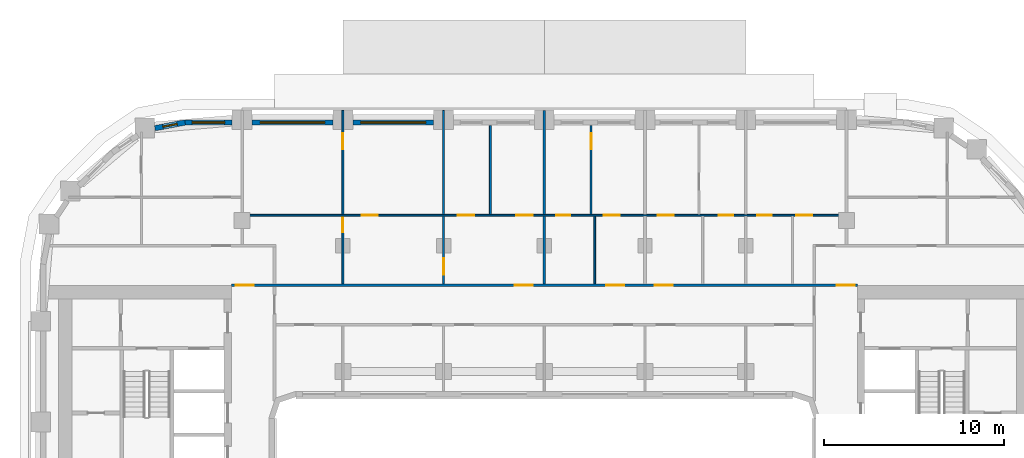
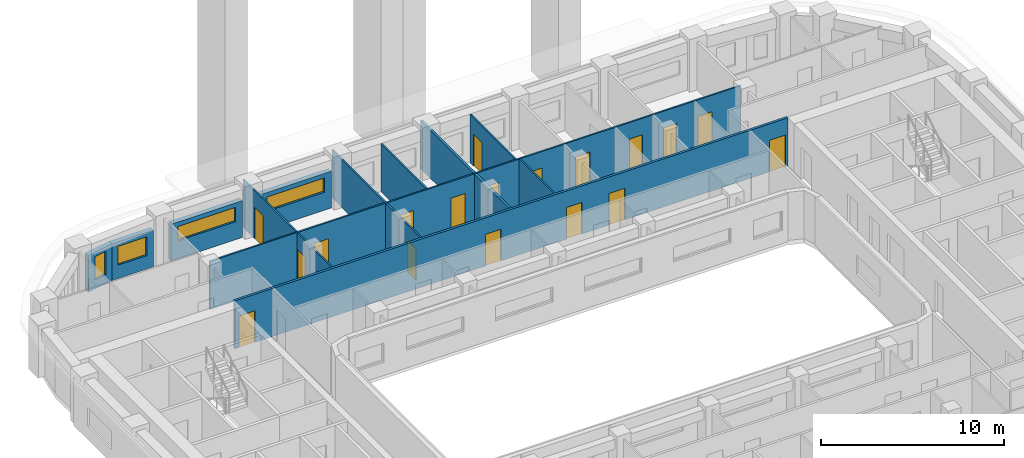
# One storey, part 8 of 18: 18 doors, 15 walls, 4 windows, 22 openings.
"""IFC4 building model written with IfcOpenShell, lengths in metres."""

from ifc_helpers import new_model, si_unit, direction, frame, frame_2d, origin, place, context, subcontext, project, spatial, rectangle, extrude, material, layer, layer_set, type_object, element, fill, save


model = new_model("IFC4")

# Units and contexts
model_context = context("Model", 3, precision=1e-05, world=origin(), true_north=direction((0.0, 1.0)))
body_context = subcontext(model_context, "Body", "Model", "MODEL_VIEW")
ifc_project = project(units=[si_unit("LENGTHUNIT", "METRE"), si_unit("AREAUNIT", "SQUARE_METRE"), si_unit("VOLUMEUNIT", "CUBIC_METRE"), si_unit("PLANEANGLEUNIT", "RADIAN"), si_unit("MASSUNIT", "GRAM", prefix="KILO")], contexts=[model_context])

# Site, building, storey
site_placement = place(None, origin())
site = spatial("IfcSite", under=ifc_project, at=site_placement, CompositionType="ELEMENT")
building_placement = place(site_placement, origin())
building = spatial("IfcBuilding", under=site, at=building_placement, Name="Kiln Ring Residences", CompositionType="ELEMENT")
storey_placement = place(building_placement, frame((0.0, 0.0, 157.10009765625)))
storey = spatial("IfcBuildingStorey", under=building, at=storey_placement, Name="L40", CompositionType="ELEMENT", Elevation=157.10009765625)

# Wall, opening, window
ifc_material_1 = material(Name="Brick masonry, dark clay brick", Category="masonry")
ifc_layer_1 = layer(ifc_material_1, 0.300048828125)
ifc_layer_set_1 = layer_set([ifc_layer_1], Name="EW-300 BRICK WALL")
wall_type_1 = type_object("IfcWallType", Name="EW-300 BRICK WALL", PredefinedType="SOLIDWALL", material=ifc_layer_set_1)
wall_1_placement = place(storey_placement, frame((-6.14990234375, 22.25, 0.0), z_axis=(0.0, 0.0, 1.0), x_axis=(-1.0, 0.0, 0.0)))
wall_1 = element("IfcWall", 1, at=wall_1_placement, inside=storey, type_object=wall_type_1, Name="Facade wall L40 33", PredefinedType="SOLIDWALL", context=body_context, shape_type="SweptSolid", body=[
    extrude(rectangle(XDim=4.5, YDim=0.300048828125, at=frame_2d((2.25, 0.0))), origin(), (0.0, 0.0, 1.0), 2.449951171875),
])
opening_1_placement = place(wall_1_placement, frame((0.449951171875, 0.0, 1.199951171875)))
opening_1 = element("IfcOpeningElement", 2, at=opening_1_placement, cuts=wall_1, Name="Opening W4", PredefinedType="OPENING", context=body_context, shape_type="SweptSolid", body=[
    extrude(rectangle(XDim=3.60009765625, YDim=0.949951171875, at=frame_2d((1.800048828125, 0.47509765625))), frame((0.0, 0.159912109375, 0.0), z_axis=(0.0, -1.0, 0.0), x_axis=(1.0, 0.0, 0.0)), (0.0, 0.0, 1.0), 0.320068359375),
])
ifc_material_2 = material(Name="Aluminium frame with double glazing", Category="aluminium")
window_type_1 = type_object("IfcWindowType", Name="WINDOW 3600 x 950", PartitioningType="SINGLE_PANEL", PredefinedType="WINDOW", material=ifc_material_2)
window_1_placement = place(opening_1_placement, origin())
window_1 = element("IfcWindow", 3, at=window_1_placement, inside=storey, type_object=window_type_1, Name="Window L40 26", OverallHeight=0.949951171875, OverallWidth=3.60009765625, PartitioningType="SINGLE_PANEL", PredefinedType="WINDOW", context=body_context, shape_type="SweptSolid", body=[
    extrude(rectangle(XDim=3.60009765625, YDim=0.949951171875, at=frame_2d((1.800048828125, 0.47509765625))), frame((0.0, 0.030029296875, 0.0), z_axis=(0.0, -1.0, 0.0), x_axis=(1.0, 0.0, 0.0)), (0.0, 0.0, 1.0), 0.06005859375),
])
fill(opening_1, window_1)

wall_2_placement = place(storey_placement, frame((-11.75, 22.25, 0.0), z_axis=(0.0, 0.0, 1.0), x_axis=(-1.0, 0.0, 0.0)))
wall_2 = element("IfcWall", 4, at=wall_2_placement, inside=storey, type_object=wall_type_1, Name="Facade wall L40 34", PredefinedType="SOLIDWALL", context=body_context, shape_type="SweptSolid", body=[
    extrude(rectangle(XDim=4.5, YDim=0.300048828125, at=frame_2d((2.25, 0.0))), origin(), (0.0, 0.0, 1.0), 2.449951171875),
])
opening_2_placement = place(wall_2_placement, frame((0.449951171875, 0.0, 1.199951171875)))
opening_2 = element("IfcOpeningElement", 5, at=opening_2_placement, cuts=wall_2, Name="Opening W4", PredefinedType="OPENING", context=body_context, shape_type="SweptSolid", body=[
    extrude(rectangle(XDim=3.60009765625, YDim=0.949951171875, at=frame_2d((1.800048828125, 0.47509765625))), frame((0.0, 0.159912109375, 0.0), z_axis=(0.0, -1.0, 0.0), x_axis=(1.0, 0.0, 0.0)), (0.0, 0.0, 1.0), 0.320068359375),
])
window_2_placement = place(opening_2_placement, origin())
window_2 = element("IfcWindow", 6, at=window_2_placement, inside=storey, type_object=window_type_1, Name="Window L40 27", OverallHeight=0.949951171875, OverallWidth=3.60009765625, PartitioningType="SINGLE_PANEL", PredefinedType="WINDOW", context=body_context, shape_type="SweptSolid", body=[
    extrude(rectangle(XDim=3.60009765625, YDim=0.949951171875, at=frame_2d((1.800048828125, 0.47509765625))), frame((0.0, 0.030029296875, 0.0), z_axis=(0.0, -1.0, 0.0), x_axis=(1.0, 0.0, 0.0)), (0.0, 0.0, 1.0), 0.06005859375),
])
fill(opening_2, window_2)

wall_3_placement = place(storey_placement, frame((-17.35009765625, 22.25, 0.0), z_axis=(0.0, 0.0, 1.0), x_axis=(-1.0, 0.0, 0.0)))
wall_3 = element("IfcWall", 7, at=wall_3_placement, inside=storey, type_object=wall_type_1, Name="Facade wall L40 35", PredefinedType="SOLIDWALL", context=body_context, shape_type="SweptSolid", body=[
    extrude(rectangle(XDim=2.64990234375, YDim=0.300048828125, at=frame_2d((1.324951171875, 0.0))), origin(), (0.0, 0.0, 1.0), 2.449951171875),
])
opening_3_placement = place(wall_3_placement, frame((0.425048828125, 0.0, 0.89990234375)))
opening_3 = element("IfcOpeningElement", 8, at=opening_3_placement, cuts=wall_3, Name="Opening W2", PredefinedType="OPENING", context=body_context, shape_type="SweptSolid", body=[
    extrude(rectangle(XDim=1.800048828125, YDim=1.25, at=frame_2d((0.89990234375, 0.625))), frame((0.0, 0.159912109375, 0.0), z_axis=(0.0, -1.0, 0.0), x_axis=(1.0, 0.0, 0.0)), (0.0, 0.0, 1.0), 0.320068359375),
])
ifc_material_3 = material(Name="Aluminium frame with double glazing", Category="aluminium")
window_type_2 = type_object("IfcWindowType", Name="WINDOW 1800 x 1250", PartitioningType="SINGLE_PANEL", PredefinedType="WINDOW", material=ifc_material_3)
window_3_placement = place(opening_3_placement, origin())
window_3 = element("IfcWindow", 9, at=window_3_placement, inside=storey, type_object=window_type_2, Name="Window L40 28", OverallHeight=1.25, OverallWidth=1.800048828125, PartitioningType="SINGLE_PANEL", PredefinedType="WINDOW", context=body_context, shape_type="SweptSolid", body=[
    extrude(rectangle(XDim=1.800048828125, YDim=1.25, at=frame_2d((0.89990234375, 0.625))), frame((0.0, 0.030029296875, 0.0), z_axis=(0.0, -1.0, 0.0), x_axis=(1.0, 0.0, 0.0)), (0.0, 0.0, 1.0), 0.06005859375),
])
fill(opening_3, window_3)

wall_4_placement = place(storey_placement, frame((-19.971923828125, 22.252685546875, 0.0), z_axis=(0.0, 0.0, 1.0), x_axis=(-0.982297206936, -0.187329114784, 0.0)))
wall_4 = element("IfcWall", 10, at=wall_4_placement, inside=storey, type_object=wall_type_1, Name="Facade wall L40 36", PredefinedType="SOLIDWALL", context=body_context, shape_type="SweptSolid", body=[
    extrude(rectangle(XDim=1.7060546875, YDim=0.300048828125, at=frame_2d((0.85302734375, 0.0))), origin(), (0.0, 0.0, 1.0), 2.449951171875),
])
opening_4_placement = place(wall_4_placement, frame((0.453125, 0.0, 0.60009765625)))
opening_4 = element("IfcOpeningElement", 11, at=opening_4_placement, cuts=wall_4, Name="Opening W5", PredefinedType="OPENING", context=body_context, shape_type="SweptSolid", body=[
    extrude(rectangle(XDim=0.800048828125, YDim=1.550048828125, at=frame_2d((0.39990234375, 0.77490234375))), frame((0.0, 0.159912109375, 0.0), z_axis=(0.0, -1.0, 0.0), x_axis=(1.0, 0.0, 0.0)), (0.0, 0.0, 1.0), 0.320068359375),
])
ifc_material_4 = material(Name="Aluminium frame with double glazing", Category="aluminium")
window_type_3 = type_object("IfcWindowType", Name="WINDOW 800 x 1550", PartitioningType="SINGLE_PANEL", PredefinedType="WINDOW", material=ifc_material_4)
window_4_placement = place(opening_4_placement, origin())
window_4 = element("IfcWindow", 12, at=window_4_placement, inside=storey, type_object=window_type_3, Name="Window L40 29", OverallHeight=1.550048828125, OverallWidth=0.800048828125, PartitioningType="SINGLE_PANEL", PredefinedType="WINDOW", context=body_context, shape_type="SweptSolid", body=[
    extrude(rectangle(XDim=0.800048828125, YDim=1.550048828125, at=frame_2d((0.39990234375, 0.77490234375))), frame((0.0, 0.030029296875, 0.0), z_axis=(0.0, -1.0, 0.0), x_axis=(1.0, 0.0, 0.0)), (0.0, 0.0, 1.0), 0.06005859375),
])
fill(opening_4, window_4)

# Wall, openings, doors
ifc_material_5 = material(Name="Gypsum board on steel studs", Category="steel")
ifc_layer_2 = layer(ifc_material_5, 0.10009765625)
ifc_layer_set_2 = layer_set([ifc_layer_2], Name="PARTITION-100")
wall_type_2 = type_object("IfcWallType", Name="PARTITION-100", PredefinedType="PARTITIONING", material=ifc_layer_set_2)
wall_5_placement = place(storey_placement, frame((-16.72509765625, 17.10009765625, 0.0), z_axis=(0.0, 0.0, 1.0), x_axis=(1.0, 0.0, 0.0)))
wall_5 = element("IfcWall", 13, at=wall_5_placement, inside=storey, type_object=wall_type_2, Name="Partition 011", PredefinedType="PARTITIONING", context=body_context, shape_type="SweptSolid", body=[
    extrude(rectangle(XDim=33.4501953125, YDim=0.10009765625, at=frame_2d((16.72509765625, 0.0))), origin(), (0.0, 0.0, 1.0), 3.199951171875),
])
opening_5_placement = place(wall_5_placement, frame((11.925048828125, 0.0, 0.0)))
opening_5 = element("IfcOpeningElement", 14, at=opening_5_placement, cuts=wall_5, Name="Opening L40-D018", PredefinedType="OPENING", context=body_context, shape_type="SweptSolid", body=[
    extrude(rectangle(XDim=0.89990234375, YDim=2.10009765625, at=frame_2d((0.449951171875, 1.050048828125))), frame((0.0, 0.06005859375, 0.0), z_axis=(0.0, -1.0, 0.0), x_axis=(1.0, 0.0, 0.0)), (0.0, 0.0, 1.0), 0.1201171875),
])
opening_6_placement = place(wall_5_placement, frame((15.175048828125, 0.0, 0.0)))
opening_6 = element("IfcOpeningElement", 15, at=opening_6_placement, cuts=wall_5, Name="Opening L40-D019", PredefinedType="OPENING", context=body_context, shape_type="SweptSolid", body=[
    extrude(rectangle(XDim=0.89990234375, YDim=2.10009765625, at=frame_2d((0.449951171875, 1.050048828125))), frame((0.0, 0.06005859375, 0.0), z_axis=(0.0, -1.0, 0.0), x_axis=(1.0, 0.0, 0.0)), (0.0, 0.0, 1.0), 0.1201171875),
])
opening_7_placement = place(wall_5_placement, frame((6.574951171875, 0.0, 0.0)))
opening_7 = element("IfcOpeningElement", 16, at=opening_7_placement, cuts=wall_5, Name="Opening L40-D020", PredefinedType="OPENING", context=body_context, shape_type="SweptSolid", body=[
    extrude(rectangle(XDim=0.89990234375, YDim=2.10009765625, at=frame_2d((0.449951171875, 1.050048828125))), frame((0.0, 0.06005859375, 0.0), z_axis=(0.0, -1.0, 0.0), x_axis=(1.0, 0.0, 0.0)), (0.0, 0.0, 1.0), 0.1201171875),
])
opening_8_placement = place(wall_5_placement, frame((17.375, 0.0, 0.0)))
opening_8 = element("IfcOpeningElement", 17, at=opening_8_placement, cuts=wall_5, Name="Opening L40-D023", PredefinedType="OPENING", context=body_context, shape_type="SweptSolid", body=[
    extrude(rectangle(XDim=0.800048828125, YDim=2.10009765625, at=frame_2d((0.39990234375, 1.050048828125))), frame((0.0, 0.06005859375, 0.0), z_axis=(0.0, -1.0, 0.0), x_axis=(1.0, 0.0, 0.0)), (0.0, 0.0, 1.0), 0.1201171875),
])
opening_9_placement = place(wall_5_placement, frame((20.02490234375, 0.0, 0.0)))
opening_9 = element("IfcOpeningElement", 18, at=opening_9_placement, cuts=wall_5, Name="Opening L40-D024", PredefinedType="OPENING", context=body_context, shape_type="SweptSolid", body=[
    extrude(rectangle(XDim=0.89990234375, YDim=2.10009765625, at=frame_2d((0.449951171875, 1.050048828125))), frame((0.0, 0.06005859375, 0.0), z_axis=(0.0, -1.0, 0.0), x_axis=(1.0, 0.0, 0.0)), (0.0, 0.0, 1.0), 0.1201171875),
])
opening_10_placement = place(wall_5_placement, frame((26.425048828125, 0.0, 0.0)))
opening_10 = element("IfcOpeningElement", 19, at=opening_10_placement, cuts=wall_5, Name="Opening L40-D027", PredefinedType="OPENING", context=body_context, shape_type="SweptSolid", body=[
    extrude(rectangle(XDim=0.800048828125, YDim=2.10009765625, at=frame_2d((0.39990234375, 1.050048828125))), frame((0.0, 0.06005859375, 0.0), z_axis=(0.0, -1.0, 0.0), x_axis=(1.0, 0.0, 0.0)), (0.0, 0.0, 1.0), 0.1201171875),
])
opening_11_placement = place(wall_5_placement, frame((23.02490234375, 0.0, 0.0)))
opening_11 = element("IfcOpeningElement", 20, at=opening_11_placement, cuts=wall_5, Name="Opening L40-D028", PredefinedType="OPENING", context=body_context, shape_type="SweptSolid", body=[
    extrude(rectangle(XDim=0.89990234375, YDim=2.10009765625, at=frame_2d((0.449951171875, 1.050048828125))), frame((0.0, 0.06005859375, 0.0), z_axis=(0.0, -1.0, 0.0), x_axis=(1.0, 0.0, 0.0)), (0.0, 0.0, 1.0), 0.1201171875),
])
opening_12_placement = place(wall_5_placement, frame((28.574951171875, 0.0, 0.0)))
opening_12 = element("IfcOpeningElement", 21, at=opening_12_placement, cuts=wall_5, Name="Opening L40-D031", PredefinedType="OPENING", context=body_context, shape_type="SweptSolid", body=[
    extrude(rectangle(XDim=0.800048828125, YDim=2.10009765625, at=frame_2d((0.39990234375, 1.050048828125))), frame((0.0, 0.06005859375, 0.0), z_axis=(0.0, -1.0, 0.0), x_axis=(1.0, 0.0, 0.0)), (0.0, 0.0, 1.0), 0.1201171875),
])
opening_13_placement = place(wall_5_placement, frame((30.72509765625, 0.0, 0.0)))
opening_13 = element("IfcOpeningElement", 22, at=opening_13_placement, cuts=wall_5, Name="Opening L40-D032", PredefinedType="OPENING", context=body_context, shape_type="SweptSolid", body=[
    extrude(rectangle(XDim=0.89990234375, YDim=2.10009765625, at=frame_2d((0.449951171875, 1.050048828125))), frame((0.0, 0.06005859375, 0.0), z_axis=(0.0, -1.0, 0.0), x_axis=(1.0, 0.0, 0.0)), (0.0, 0.0, 1.0), 0.1201171875),
])
ifc_material_6 = material(Name="Timber door leaf", Category="wood")
door_type_1 = type_object("IfcDoorType", Name="FLAT-DOOR-800-PL", OperationType="SINGLE_SWING_LEFT", PredefinedType="DOOR", material=ifc_material_6)
door_1_placement = place(opening_8_placement, origin())
door_1 = element("IfcDoor", 23, at=door_1_placement, inside=storey, type_object=door_type_1, Name="Door L40-D023", OperationType="SINGLE_SWING_LEFT", OverallHeight=2.10009765625, OverallWidth=0.800048828125, PredefinedType="DOOR", context=body_context, shape_type="SweptSolid", body=[
    extrude(rectangle(XDim=0.800048828125, YDim=2.10009765625, at=frame_2d((0.39990234375, 1.050048828125))), frame((0.0, 0.02490234375, 0.0), z_axis=(0.0, -1.0, 0.0), x_axis=(1.0, 0.0, 0.0)), (0.0, 0.0, 1.0), 0.050048828125),
])
fill(opening_8, door_1)
door_2_placement = place(opening_10_placement, origin())
door_2 = element("IfcDoor", 24, at=door_2_placement, inside=storey, type_object=door_type_1, Name="Door L40-D027", OperationType="SINGLE_SWING_LEFT", OverallHeight=2.10009765625, OverallWidth=0.800048828125, PredefinedType="DOOR", context=body_context, shape_type="SweptSolid", body=[
    extrude(rectangle(XDim=0.800048828125, YDim=2.10009765625, at=frame_2d((0.39990234375, 1.050048828125))), frame((0.0, 0.02490234375, 0.0), z_axis=(0.0, -1.0, 0.0), x_axis=(1.0, 0.0, 0.0)), (0.0, 0.0, 1.0), 0.050048828125),
])
fill(opening_10, door_2)
door_3_placement = place(opening_12_placement, origin())
door_3 = element("IfcDoor", 25, at=door_3_placement, inside=storey, type_object=door_type_1, Name="Door L40-D031", OperationType="SINGLE_SWING_LEFT", OverallHeight=2.10009765625, OverallWidth=0.800048828125, PredefinedType="DOOR", context=body_context, shape_type="SweptSolid", body=[
    extrude(rectangle(XDim=0.800048828125, YDim=2.10009765625, at=frame_2d((0.39990234375, 1.050048828125))), frame((0.0, 0.02490234375, 0.0), z_axis=(0.0, -1.0, 0.0), x_axis=(1.0, 0.0, 0.0)), (0.0, 0.0, 1.0), 0.050048828125),
])
fill(opening_12, door_3)
ifc_material_7 = material(Name="Timber door leaf", Category="wood")
door_type_2 = type_object("IfcDoorType", Name="FLAT-DOOR-900-PL", OperationType="SINGLE_SWING_LEFT", PredefinedType="DOOR", material=ifc_material_7)
door_4_placement = place(opening_5_placement, origin())
door_4 = element("IfcDoor", 26, at=door_4_placement, inside=storey, type_object=door_type_2, Name="Door L40-D018", OperationType="SINGLE_SWING_RIGHT", OverallHeight=2.10009765625, OverallWidth=0.89990234375, PredefinedType="DOOR", context=body_context, shape_type="SweptSolid", body=[
    extrude(rectangle(XDim=0.89990234375, YDim=2.10009765625, at=frame_2d((0.449951171875, 1.050048828125))), frame((0.0, 0.02490234375, 0.0), z_axis=(0.0, -1.0, 0.0), x_axis=(1.0, 0.0, 0.0)), (0.0, 0.0, 1.0), 0.050048828125),
])
fill(opening_5, door_4)
door_5_placement = place(opening_6_placement, origin())
door_5 = element("IfcDoor", 27, at=door_5_placement, inside=storey, type_object=door_type_2, Name="Door L40-D019", OperationType="SINGLE_SWING_LEFT", OverallHeight=2.10009765625, OverallWidth=0.89990234375, PredefinedType="DOOR", context=body_context, shape_type="SweptSolid", body=[
    extrude(rectangle(XDim=0.89990234375, YDim=2.10009765625, at=frame_2d((0.449951171875, 1.050048828125))), frame((0.0, 0.02490234375, 0.0), z_axis=(0.0, -1.0, 0.0), x_axis=(1.0, 0.0, 0.0)), (0.0, 0.0, 1.0), 0.050048828125),
])
fill(opening_6, door_5)
door_6_placement = place(opening_7_placement, origin())
door_6 = element("IfcDoor", 28, at=door_6_placement, inside=storey, type_object=door_type_2, Name="Door L40-D020", OperationType="SINGLE_SWING_RIGHT", OverallHeight=2.10009765625, OverallWidth=0.89990234375, PredefinedType="DOOR", context=body_context, shape_type="SweptSolid", body=[
    extrude(rectangle(XDim=0.89990234375, YDim=2.10009765625, at=frame_2d((0.449951171875, 1.050048828125))), frame((0.0, 0.02490234375, 0.0), z_axis=(0.0, -1.0, 0.0), x_axis=(1.0, 0.0, 0.0)), (0.0, 0.0, 1.0), 0.050048828125),
])
fill(opening_7, door_6)
door_7_placement = place(opening_9_placement, origin())
door_7 = element("IfcDoor", 29, at=door_7_placement, inside=storey, type_object=door_type_2, Name="Door L40-D024", OperationType="SINGLE_SWING_RIGHT", OverallHeight=2.10009765625, OverallWidth=0.89990234375, PredefinedType="DOOR", context=body_context, shape_type="SweptSolid", body=[
    extrude(rectangle(XDim=0.89990234375, YDim=2.10009765625, at=frame_2d((0.449951171875, 1.050048828125))), frame((0.0, 0.02490234375, 0.0), z_axis=(0.0, -1.0, 0.0), x_axis=(1.0, 0.0, 0.0)), (0.0, 0.0, 1.0), 0.050048828125),
])
fill(opening_9, door_7)
door_8_placement = place(opening_11_placement, origin())
door_8 = element("IfcDoor", 30, at=door_8_placement, inside=storey, type_object=door_type_2, Name="Door L40-D028", OperationType="SINGLE_SWING_RIGHT", OverallHeight=2.10009765625, OverallWidth=0.89990234375, PredefinedType="DOOR", context=body_context, shape_type="SweptSolid", body=[
    extrude(rectangle(XDim=0.89990234375, YDim=2.10009765625, at=frame_2d((0.449951171875, 1.050048828125))), frame((0.0, 0.02490234375, 0.0), z_axis=(0.0, -1.0, 0.0), x_axis=(1.0, 0.0, 0.0)), (0.0, 0.0, 1.0), 0.050048828125),
])
fill(opening_11, door_8)
door_9_placement = place(opening_13_placement, origin())
door_9 = element("IfcDoor", 31, at=door_9_placement, inside=storey, type_object=door_type_2, Name="Door L40-D032", OperationType="SINGLE_SWING_RIGHT", OverallHeight=2.10009765625, OverallWidth=0.89990234375, PredefinedType="DOOR", context=body_context, shape_type="SweptSolid", body=[
    extrude(rectangle(XDim=0.89990234375, YDim=2.10009765625, at=frame_2d((0.449951171875, 1.050048828125))), frame((0.0, 0.02490234375, 0.0), z_axis=(0.0, -1.0, 0.0), x_axis=(1.0, 0.0, 0.0)), (0.0, 0.0, 1.0), 0.050048828125),
])
fill(opening_13, door_9)

# Wall, opening, door
wall_6_placement = place(storey_placement, frame((-11.199951171875, 13.27490234375, 0.0), z_axis=(0.0, 0.0, 1.0), x_axis=(0.0, 1.0, 0.0)))
wall_6 = element("IfcWall", 32, at=wall_6_placement, inside=storey, type_object=wall_type_2, Name="Partition 028", PredefinedType="PARTITIONING", context=body_context, shape_type="SweptSolid", body=[
    extrude(rectangle(XDim=3.775146484375, YDim=0.10009765625, at=frame_2d((1.8876953125, 0.0))), origin(), (0.0, 0.0, 1.0), 3.199951171875),
])
opening_14_placement = place(wall_6_placement, frame((2.875, 0.0, 0.0)))
opening_14 = element("IfcOpeningElement", 33, at=opening_14_placement, cuts=wall_6, Name="Opening L40-D017", PredefinedType="OPENING", context=body_context, shape_type="SweptSolid", body=[
    extrude(rectangle(XDim=0.800048828125, YDim=2.10009765625, at=frame_2d((0.39990234375, 1.050048828125))), frame((0.0, 0.06005859375, 0.0), z_axis=(0.0, -1.0, 0.0), x_axis=(1.0, 0.0, 0.0)), (0.0, 0.0, 1.0), 0.1201171875),
])
door_10_placement = place(opening_14_placement, origin())
door_10 = element("IfcDoor", 34, at=door_10_placement, inside=storey, type_object=door_type_1, Name="Door L40-D017", OperationType="SINGLE_SWING_LEFT", OverallHeight=2.10009765625, OverallWidth=0.800048828125, PredefinedType="DOOR", context=body_context, shape_type="SweptSolid", body=[
    extrude(rectangle(XDim=0.800048828125, YDim=2.10009765625, at=frame_2d((0.39990234375, 1.050048828125))), frame((0.0, 0.02490234375, 0.0), z_axis=(0.0, -1.0, 0.0), x_axis=(1.0, 0.0, 0.0)), (0.0, 0.0, 1.0), 0.050048828125),
])
fill(opening_14, door_10)

wall_7_placement = place(storey_placement, frame((-11.199951171875, 17.14990234375, 0.0), z_axis=(0.0, 0.0, 1.0), x_axis=(0.0, 1.0, 0.0)))
wall_7 = element("IfcWall", 35, at=wall_7_placement, inside=storey, type_object=wall_type_2, Name="Partition 029", PredefinedType="PARTITIONING", context=body_context, shape_type="SweptSolid", body=[
    extrude(rectangle(XDim=5.780029296875, YDim=0.10009765625, at=frame_2d((2.89013671875, 0.0))), origin(), (0.0, 0.0, 1.0), 3.199951171875),
])
opening_15_placement = place(wall_7_placement, frame((3.610107421875, 0.0, 0.0)))
opening_15 = element("IfcOpeningElement", 36, at=opening_15_placement, cuts=wall_7, Name="Opening L40-D021", PredefinedType="OPENING", context=body_context, shape_type="SweptSolid", body=[
    extrude(rectangle(XDim=0.89990234375, YDim=2.10009765625, at=frame_2d((0.449951171875, 1.050048828125))), frame((0.0, 0.06005859375, 0.0), z_axis=(0.0, -1.0, 0.0), x_axis=(1.0, 0.0, 0.0)), (0.0, 0.0, 1.0), 0.1201171875),
])
door_11_placement = place(opening_15_placement, origin())
door_11 = element("IfcDoor", 37, at=door_11_placement, inside=storey, type_object=door_type_2, Name="Door L40-D021", OperationType="SINGLE_SWING_LEFT", OverallHeight=2.10009765625, OverallWidth=0.89990234375, PredefinedType="DOOR", context=body_context, shape_type="SweptSolid", body=[
    extrude(rectangle(XDim=0.89990234375, YDim=2.10009765625, at=frame_2d((0.449951171875, 1.050048828125))), frame((0.0, 0.02490234375, 0.0), z_axis=(0.0, -1.0, 0.0), x_axis=(1.0, 0.0, 0.0)), (0.0, 0.0, 1.0), 0.050048828125),
])
fill(opening_15, door_11)

wall_8_placement = place(storey_placement, frame((-5.60009765625, 13.27490234375, 0.0), z_axis=(0.0, 0.0, 1.0), x_axis=(0.0, 1.0, 0.0)))
wall_8 = element("IfcWall", 38, at=wall_8_placement, inside=storey, type_object=wall_type_2, Name="Partition 035", PredefinedType="PARTITIONING", context=body_context, shape_type="SweptSolid", body=[
    extrude(rectangle(XDim=3.775146484375, YDim=0.10009765625, at=frame_2d((1.8876953125, 0.0))), origin(), (0.0, 0.0, 1.0), 3.199951171875),
])
opening_16_placement = place(wall_8_placement, frame((0.52490234375, 0.0, 0.0)))
opening_16 = element("IfcOpeningElement", 39, at=opening_16_placement, cuts=wall_8, Name="Opening L40-D016", PredefinedType="OPENING", context=body_context, shape_type="SweptSolid", body=[
    extrude(rectangle(XDim=0.89990234375, YDim=2.10009765625, at=frame_2d((0.449951171875, 1.050048828125))), frame((0.0, 0.06005859375, 0.0), z_axis=(0.0, -1.0, 0.0), x_axis=(1.0, 0.0, 0.0)), (0.0, 0.0, 1.0), 0.1201171875),
])
door_12_placement = place(opening_16_placement, origin())
door_12 = element("IfcDoor", 40, at=door_12_placement, inside=storey, type_object=door_type_2, Name="Door L40-D016", OperationType="SINGLE_SWING_RIGHT", OverallHeight=2.10009765625, OverallWidth=0.89990234375, PredefinedType="DOOR", context=body_context, shape_type="SweptSolid", body=[
    extrude(rectangle(XDim=0.89990234375, YDim=2.10009765625, at=frame_2d((0.449951171875, 1.050048828125))), frame((0.0, 0.02490234375, 0.0), z_axis=(0.0, -1.0, 0.0), x_axis=(1.0, 0.0, 0.0)), (0.0, 0.0, 1.0), 0.050048828125),
])
fill(opening_16, door_12)

# Walls
wall_9_placement = place(storey_placement, frame((-5.60009765625, 17.14990234375, 0.0), z_axis=(0.0, 0.0, 1.0), x_axis=(0.0, 1.0, 0.0)))
element("IfcWall", 41, at=wall_9_placement, inside=storey, type_object=wall_type_2, Name="Partition 036", PredefinedType="PARTITIONING", context=body_context, shape_type="SweptSolid", body=[
    extrude(rectangle(XDim=5.780029296875, YDim=0.10009765625, at=frame_2d((2.89013671875, 0.0))), origin(), (0.0, 0.0, 1.0), 3.199951171875),
])
wall_10_placement = place(storey_placement, frame((-3.0, 17.14990234375, 0.0), z_axis=(0.0, 0.0, 1.0), x_axis=(0.0, 1.0, 0.0)))
element("IfcWall", 42, at=wall_10_placement, inside=storey, type_object=wall_type_2, Name="Partition 039", PredefinedType="PARTITIONING", context=body_context, shape_type="SweptSolid", body=[
    extrude(rectangle(XDim=4.93017578125, YDim=0.10009765625, at=frame_2d((2.465087890625, 0.0))), origin(), (0.0, 0.0, 1.0), 3.199951171875),
])

# Wall, opening, door
wall_11_placement = place(storey_placement, frame((2.60009765625, 17.14990234375, 0.0), z_axis=(0.0, 0.0, 1.0), x_axis=(0.0, 1.0, 0.0)))
wall_11 = element("IfcWall", 43, at=wall_11_placement, inside=storey, type_object=wall_type_2, Name="Partition 047", PredefinedType="PARTITIONING", context=body_context, shape_type="SweptSolid", body=[
    extrude(rectangle(XDim=4.93017578125, YDim=0.10009765625, at=frame_2d((2.465087890625, 0.0))), origin(), (0.0, 0.0, 1.0), 3.199951171875),
])
opening_17_placement = place(wall_11_placement, frame((3.610107421875, 0.0, 0.0)))
opening_17 = element("IfcOpeningElement", 44, at=opening_17_placement, cuts=wall_11, Name="Opening L40-D025", PredefinedType="OPENING", context=body_context, shape_type="SweptSolid", body=[
    extrude(rectangle(XDim=0.89990234375, YDim=2.10009765625, at=frame_2d((0.449951171875, 1.050048828125))), frame((0.0, 0.06005859375, 0.0), z_axis=(0.0, -1.0, 0.0), x_axis=(1.0, 0.0, 0.0)), (0.0, 0.0, 1.0), 0.1201171875),
])
door_13_placement = place(opening_17_placement, origin())
door_13 = element("IfcDoor", 45, at=door_13_placement, inside=storey, type_object=door_type_2, Name="Door L40-D025", OperationType="SINGLE_SWING_LEFT", OverallHeight=2.10009765625, OverallWidth=0.89990234375, PredefinedType="DOOR", context=body_context, shape_type="SweptSolid", body=[
    extrude(rectangle(XDim=0.89990234375, YDim=2.10009765625, at=frame_2d((0.449951171875, 1.050048828125))), frame((0.0, 0.02490234375, 0.0), z_axis=(0.0, -1.0, 0.0), x_axis=(1.0, 0.0, 0.0)), (0.0, 0.0, 1.0), 0.050048828125),
])
fill(opening_17, door_13)

# Wall
wall_12_placement = place(storey_placement, frame((2.800048828125, 13.27490234375, 0.0), z_axis=(0.0, 0.0, 1.0), x_axis=(0.0, 1.0, 0.0)))
element("IfcWall", 46, at=wall_12_placement, inside=storey, type_object=wall_type_2, Name="Partition 048", PredefinedType="PARTITIONING", context=body_context, shape_type="SweptSolid", body=[
    extrude(rectangle(XDim=3.775146484375, YDim=0.10009765625, at=frame_2d((1.8876953125, 0.0))), origin(), (0.0, 0.0, 1.0), 3.199951171875),
])

# Wall, openings, doors
ifc_material_8 = material(Name="Brick masonry partition", Category="masonry")
ifc_layer_3 = layer(ifc_material_8, 0.14990234375)
ifc_layer_set_3 = layer_set([ifc_layer_3], Name="PARTITION-150-ei60")
wall_type_3 = type_object("IfcWallType", Name="PARTITION-150-ei60", PredefinedType="PARTITIONING", material=ifc_layer_set_3)
wall_13_placement = place(storey_placement, frame((-17.39990234375, 13.199951171875, 0.0), z_axis=(0.0, 0.0, 1.0), x_axis=(1.0, 0.0, 0.0)))
wall_13 = element("IfcWall", 47, at=wall_13_placement, inside=storey, type_object=wall_type_3, Name="Partition 008", PredefinedType="PARTITIONING", context=body_context, shape_type="SweptSolid", body=[
    extrude(rectangle(XDim=34.7998046875, YDim=0.14990234375, at=frame_2d((17.39990234375, 0.0))), origin(), (0.0, 0.0, 1.0), 3.199951171875),
])
opening_18_placement = place(wall_13_placement, frame((0.25, 0.0, 0.0)))
opening_18 = element("IfcOpeningElement", 48, at=opening_18_placement, cuts=wall_13, Name="Opening L40-D003", PredefinedType="OPENING", context=body_context, shape_type="SweptSolid", body=[
    extrude(rectangle(XDim=1.0, YDim=2.10009765625, at=frame_2d((0.5, 1.050048828125))), frame((0.0, 0.0849609375, 0.0), z_axis=(0.0, -1.0, 0.0), x_axis=(1.0, 0.0, 0.0)), (0.0, 0.0, 1.0), 0.169921875),
])
opening_19_placement = place(wall_13_placement, frame((33.64990234375, 0.0, 0.0)))
opening_19 = element("IfcOpeningElement", 49, at=opening_19_placement, cuts=wall_13, Name="Opening L40-D004", PredefinedType="OPENING", context=body_context, shape_type="SweptSolid", body=[
    extrude(rectangle(XDim=1.0, YDim=2.10009765625, at=frame_2d((0.5, 1.050048828125))), frame((0.0, 0.0849609375, 0.0), z_axis=(0.0, -1.0, 0.0), x_axis=(1.0, 0.0, 0.0)), (0.0, 0.0, 1.0), 0.169921875),
])
opening_20_placement = place(wall_13_placement, frame((15.75, 0.0, 0.0)))
opening_20 = element("IfcOpeningElement", 50, at=opening_20_placement, cuts=wall_13, Name="Opening L40-D015", PredefinedType="OPENING", context=body_context, shape_type="SweptSolid", body=[
    extrude(rectangle(XDim=1.0, YDim=2.10009765625, at=frame_2d((0.5, 1.050048828125))), frame((0.0, 0.0849609375, 0.0), z_axis=(0.0, -1.0, 0.0), x_axis=(1.0, 0.0, 0.0)), (0.0, 0.0, 1.0), 0.169921875),
])
opening_21_placement = place(wall_13_placement, frame((20.85009765625, 0.0, 0.0)))
opening_21 = element("IfcOpeningElement", 51, at=opening_21_placement, cuts=wall_13, Name="Opening L40-D022", PredefinedType="OPENING", context=body_context, shape_type="SweptSolid", body=[
    extrude(rectangle(XDim=1.0, YDim=2.10009765625, at=frame_2d((0.5, 1.050048828125))), frame((0.0, 0.0849609375, 0.0), z_axis=(0.0, -1.0, 0.0), x_axis=(1.0, 0.0, 0.0)), (0.0, 0.0, 1.0), 0.169921875),
])
opening_22_placement = place(wall_13_placement, frame((23.550048828125, 0.0, 0.0)))
opening_22 = element("IfcOpeningElement", 52, at=opening_22_placement, cuts=wall_13, Name="Opening L40-D026", PredefinedType="OPENING", context=body_context, shape_type="SweptSolid", body=[
    extrude(rectangle(XDim=1.0, YDim=2.10009765625, at=frame_2d((0.5, 1.050048828125))), frame((0.0, 0.0849609375, 0.0), z_axis=(0.0, -1.0, 0.0), x_axis=(1.0, 0.0, 0.0)), (0.0, 0.0, 1.0), 0.169921875),
])
ifc_material_9 = material(Name="Steel faced fire door leaf", Category="steel")
door_type_3 = type_object("IfcDoorType", Name="FLAT-DOOR-1000-FR", OperationType="SINGLE_SWING_LEFT", PredefinedType="DOOR", material=ifc_material_9)
door_14_placement = place(opening_18_placement, origin())
door_14 = element("IfcDoor", 53, at=door_14_placement, inside=storey, type_object=door_type_3, Name="Door L40-D003", OperationType="SINGLE_SWING_LEFT", OverallHeight=2.10009765625, OverallWidth=1.0, PredefinedType="DOOR", context=body_context, shape_type="SweptSolid", body=[
    extrude(rectangle(XDim=1.0, YDim=2.10009765625, at=frame_2d((0.5, 1.050048828125))), frame((0.0, 0.02490234375, 0.0), z_axis=(0.0, -1.0, 0.0), x_axis=(1.0, 0.0, 0.0)), (0.0, 0.0, 1.0), 0.050048828125),
])
fill(opening_18, door_14)
door_15_placement = place(opening_19_placement, origin())
door_15 = element("IfcDoor", 54, at=door_15_placement, inside=storey, type_object=door_type_3, Name="Door L40-D004", OperationType="SINGLE_SWING_RIGHT", OverallHeight=2.10009765625, OverallWidth=1.0, PredefinedType="DOOR", context=body_context, shape_type="SweptSolid", body=[
    extrude(rectangle(XDim=1.0, YDim=2.10009765625, at=frame_2d((0.5, 1.050048828125))), frame((0.0, 0.02490234375, 0.0), z_axis=(0.0, -1.0, 0.0), x_axis=(1.0, 0.0, 0.0)), (0.0, 0.0, 1.0), 0.050048828125),
])
fill(opening_19, door_15)
door_16_placement = place(opening_20_placement, origin())
door_16 = element("IfcDoor", 55, at=door_16_placement, inside=storey, type_object=door_type_3, Name="Door L40-D015", OperationType="SINGLE_SWING_LEFT", OverallHeight=2.10009765625, OverallWidth=1.0, PredefinedType="DOOR", context=body_context, shape_type="SweptSolid", body=[
    extrude(rectangle(XDim=1.0, YDim=2.10009765625, at=frame_2d((0.5, 1.050048828125))), frame((0.0, 0.02490234375, 0.0), z_axis=(0.0, -1.0, 0.0), x_axis=(1.0, 0.0, 0.0)), (0.0, 0.0, 1.0), 0.050048828125),
])
fill(opening_20, door_16)
door_17_placement = place(opening_21_placement, origin())
door_17 = element("IfcDoor", 56, at=door_17_placement, inside=storey, type_object=door_type_3, Name="Door L40-D022", OperationType="SINGLE_SWING_RIGHT", OverallHeight=2.10009765625, OverallWidth=1.0, PredefinedType="DOOR", context=body_context, shape_type="SweptSolid", body=[
    extrude(rectangle(XDim=1.0, YDim=2.10009765625, at=frame_2d((0.5, 1.050048828125))), frame((0.0, 0.02490234375, 0.0), z_axis=(0.0, -1.0, 0.0), x_axis=(1.0, 0.0, 0.0)), (0.0, 0.0, 1.0), 0.050048828125),
])
fill(opening_21, door_17)
door_18_placement = place(opening_22_placement, origin())
door_18 = element("IfcDoor", 57, at=door_18_placement, inside=storey, type_object=door_type_3, Name="Door L40-D026", OperationType="SINGLE_SWING_RIGHT", OverallHeight=2.10009765625, OverallWidth=1.0, PredefinedType="DOOR", context=body_context, shape_type="SweptSolid", body=[
    extrude(rectangle(XDim=1.0, YDim=2.10009765625, at=frame_2d((0.5, 1.050048828125))), frame((0.0, 0.02490234375, 0.0), z_axis=(0.0, -1.0, 0.0), x_axis=(1.0, 0.0, 0.0)), (0.0, 0.0, 1.0), 0.050048828125),
])
fill(opening_22, door_18)

# Walls
wall_14_placement = place(storey_placement, frame((0.0, 13.27490234375, 0.0), z_axis=(0.0, 0.0, 1.0), x_axis=(0.0, 1.0, 0.0)))
element("IfcWall", 58, at=wall_14_placement, inside=storey, type_object=wall_type_3, Name="Partition 045", PredefinedType="PARTITIONING", context=body_context, shape_type="SweptSolid", body=[
    extrude(rectangle(XDim=3.775146484375, YDim=0.14990234375, at=frame_2d((1.8876953125, 0.0))), origin(), (0.0, 0.0, 1.0), 3.199951171875),
])
wall_15_placement = place(storey_placement, frame((0.0, 17.14990234375, 0.0), z_axis=(0.0, 0.0, 1.0), x_axis=(0.0, 1.0, 0.0)))
element("IfcWall", 59, at=wall_15_placement, inside=storey, type_object=wall_type_3, Name="Partition 046", PredefinedType="PARTITIONING", context=body_context, shape_type="SweptSolid", body=[
    extrude(rectangle(XDim=5.780029296875, YDim=0.14990234375, at=frame_2d((2.89013671875, 0.0))), origin(), (0.0, 0.0, 1.0), 3.199951171875),
])

save(model, "model.ifc")
